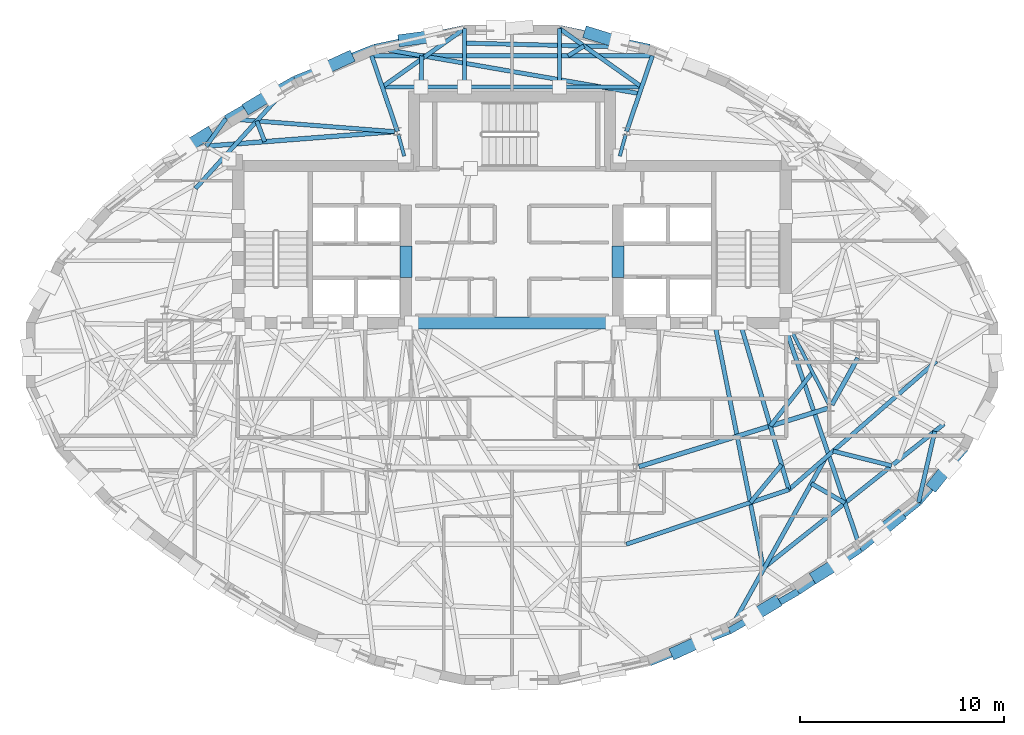
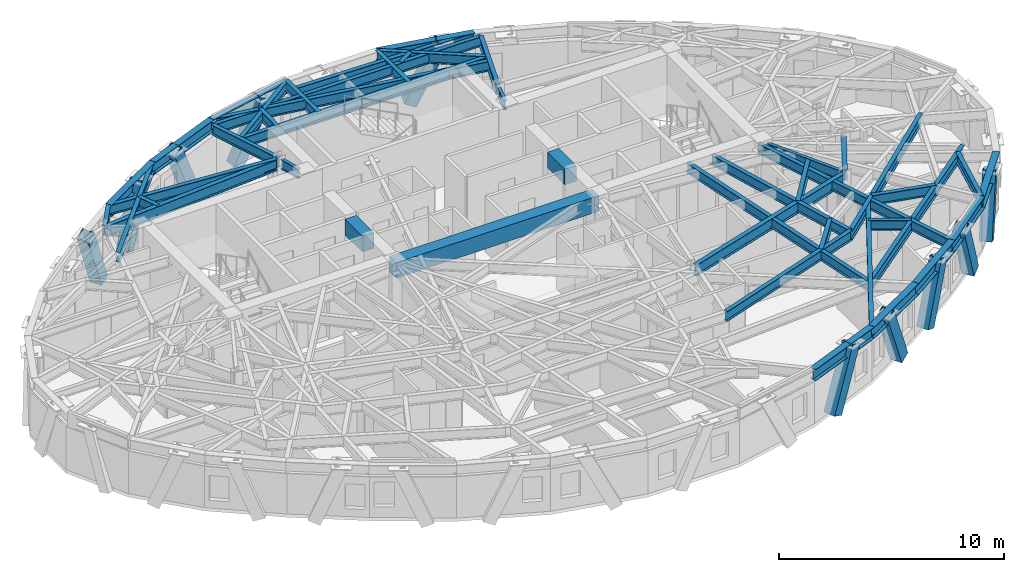
# One storey, part 3 of 13: 46 beams, 10 members.
"""IFC4 building model written with IfcOpenShell, lengths in metres."""

import ifcopenshell
import ifcopenshell.guid

model = None  # the IFC model being written
_history = None  # IfcOwnerHistory: only IFC2X3 demands one
_inside = {}  # id of a spatial element -> (the spatial element, [elements in it])
_under = {}  # id of a project, library or spatial element -> (it, [spatial elements below it])
_declared = {}  # id of a project -> (the project, [libraries it declares])
_typed = {}  # id of a type object -> (the type object, [elements of that type])
_made_of = {}  # id of a material, layer set ... -> (it, [elements and type objects made of it])


def new_model(schema):
    """Start an empty IFC model of exactly this schema.

    Asked for "IFC4X3", IfcOpenShell would pick the latest addendum, in which some entities
    have other attributes; the version numbers below select the first issue.
    IFC2X3 requires an IfcOwnerHistory on every rooted entity: one is made here for all.
    """
    global model, _history
    if schema == "IFC4X3":
        model = ifcopenshell.file(schema_version=(4, 3, 0, 0))
    else:
        model = ifcopenshell.file(schema=schema)
    _inside.clear()
    _under.clear()
    _declared.clear()
    _typed.clear()
    _made_of.clear()
    _history = None
    if model.schema == "IFC2X3":
        org = make("IfcOrganization", Name="unknown")
        user = make(
            "IfcPersonAndOrganization",
            ThePerson=make("IfcPerson", FamilyName="unknown"),
            TheOrganization=org,
        )
        app = make(
            "IfcApplication",
            ApplicationDeveloper=org,
            Version="unknown",
            ApplicationFullName="unknown",
            ApplicationIdentifier="unknown",
        )
        _history = make(
            "IfcOwnerHistory",
            OwningUser=user,
            OwningApplication=app,
            ChangeAction="ADDED",
            CreationDate=0,
        )
    return model


def make(cls, **values):
    """One entity of the class cls with the attributes given. An attribute that is None is left unset."""
    return model.create_entity(
        cls, **{name: value for name, value in values.items() if value is not None}
    )


def rooted(cls, **values):
    """An entity with a GlobalId (a new one), such as an element, a storey or a relation."""
    return make(cls, GlobalId=ifcopenshell.guid.new(), OwnerHistory=_history, **values)


def si_unit(unit_type, name, prefix=None):
    """IfcSIUnit, for example si_unit("LENGTHUNIT", "METRE", prefix="MILLI")."""
    return make("IfcSIUnit", UnitType=unit_type, Prefix=prefix, Name=name)


def assignment(units):
    """IfcUnitAssignment: the units of a project."""
    return None if units is None else make("IfcUnitAssignment", Units=units)


def point(xyz):
    """IfcCartesianPoint."""
    return None if xyz is None else make("IfcCartesianPoint", Coordinates=xyz)


def direction(xyz):
    """IfcDirection."""
    return None if xyz is None else make("IfcDirection", DirectionRatios=xyz)


def frame(location, z_axis=None, x_axis=None):
    """IfcAxis2Placement3D, a coordinate frame: its origin and axes. An axis left out is left unset."""
    return make(
        "IfcAxis2Placement3D",
        Location=point(location),
        Axis=direction(z_axis),
        RefDirection=direction(x_axis),
    )


def frame_2d(location, x_axis=None):
    """IfcAxis2Placement2D, a coordinate frame in the plane: its origin and x axis."""
    return make(
        "IfcAxis2Placement2D", Location=point(location), RefDirection=direction(x_axis)
    )


def origin():
    """The frame at (0, 0, 0) with its axes left unset."""
    return frame((0.0, 0.0, 0.0))


def origin_2d():
    """The frame at (0, 0) in the plane with its x axis left unset."""
    return frame_2d((0.0, 0.0))


def place(relative_to, where):
    """IfcLocalPlacement: puts the frame where relative to a parent placement (None: the world)."""
    return make(
        "IfcLocalPlacement", PlacementRelTo=relative_to, RelativePlacement=where
    )


def context(
    kind, dimensions, precision=None, world=None, true_north=None, identifier=None
):
    """IfcGeometricRepresentationContext, for example the 3D "Model" context."""
    return make(
        "IfcGeometricRepresentationContext",
        ContextIdentifier=identifier,
        ContextType=kind,
        CoordinateSpaceDimension=dimensions,
        Precision=precision,
        WorldCoordinateSystem=world,
        TrueNorth=true_north,
    )


def subcontext(parent, identifier, kind, view, scale=None):
    """IfcGeometricRepresentationSubContext, for example "Body" below "Model"."""
    return make(
        "IfcGeometricRepresentationSubContext",
        ContextIdentifier=identifier,
        ContextType=kind,
        ParentContext=parent,
        TargetScale=scale,
        TargetView=view,
    )


def project(units=None, contexts=None):
    """IfcProject with its units and contexts."""
    return rooted(
        "IfcProject",
        Name="project",
        RepresentationContexts=contexts,
        UnitsInContext=assignment(units),
    )


def spatial(cls, under=None, at=None, **own):
    """A site, building, storey or space (cls), placed at a placement, below another one or the project."""
    s = rooted(cls, ObjectPlacement=at, **own)
    if under is not None:
        _under.setdefault(under.id(), (under, []))[1].append(s)
    return s


def profile(cls, at=None, kind="AREA", **sizes):
    """A parametric profile (cls). Its sizes go by their IFC names, for example OverallWidth=200.0."""
    return make(cls, ProfileType=kind, Position=at, **sizes)


def rectangle(**sizes):
    """IfcRectangleProfileDef."""
    return profile("IfcRectangleProfileDef", **sizes)


def hollow_rectangle(**sizes):
    """IfcRectangleHollowProfileDef."""
    return profile("IfcRectangleHollowProfileDef", **sizes)


def i_section(**sizes):
    """IfcIShapeProfileDef."""
    return profile("IfcIShapeProfileDef", **sizes)


def extrude(swept, where, along, depth):
    """IfcExtrudedAreaSolid: the profile swept, set in the frame where, extruded along a direction by depth."""
    return make(
        "IfcExtrudedAreaSolid",
        SweptArea=swept,
        Position=where,
        ExtrudedDirection=direction(along),
        Depth=depth,
    )


def shape(context_of_items, identifier, shape_type, items):
    """IfcShapeRepresentation: the items that make up one representation, for example the "Body"."""
    return make(
        "IfcShapeRepresentation",
        ContextOfItems=context_of_items,
        RepresentationIdentifier=identifier,
        RepresentationType=shape_type,
        Items=items,
    )


def material(Name=None, Category=None):
    """IfcMaterial."""
    return make("IfcMaterial", Name=Name, Category=Category)


def material_profile(
    of_material, cross_section, Name=None, Category=None, Priority=None
):
    """IfcMaterialProfile: a cross section and its material."""
    return make(
        "IfcMaterialProfile",
        Name=Name,
        Material=of_material,
        Profile=cross_section,
        Priority=Priority,
        Category=Category,
    )


def profile_set(profiles, Name=None, composite=None):
    """IfcMaterialProfileSet."""
    return make(
        "IfcMaterialProfileSet",
        Name=Name,
        MaterialProfiles=profiles,
        CompositeProfile=composite,
    )


def made_of(thing, what):
    """Note that an element or type object is made of a material, layer set ...; save() writes the relation."""
    if what is not None:
        _made_of.setdefault(what.id(), (what, []))[1].append(thing)
    return thing


def type_object(cls, material=None, **own):
    """A type object (cls), such as IfcWallType, which elements share."""
    return made_of(rooted(cls, **own), material)


def element(
    cls,
    number,
    at=None,
    inside=None,
    cuts=None,
    type_object=None,
    material=None,
    context=None,
    identifier="Body",
    shape_type=None,
    held_by="IfcProductDefinitionShape",
    body=None,
    shapes=None,
    **own,
):
    """One element of the class cls, such as IfcWall. Its Tag is "e" and its number.

    at: its placement. inside: the storey or other place that contains it. cuts: it is an
    opening in that element (IfcRelVoidsElement). A single representation is given by context,
    identifier, shape_type and body (its items); several are given by shapes. held_by: the class
    of the entity that holds the representations. save() writes the other relations.
    """
    e = rooted(cls, Tag="e%d" % number, ObjectPlacement=at, **own)
    if body is not None:
        shapes = [shape(context, identifier, shape_type, body)]
    if shapes is not None:
        e.Representation = make(held_by, Representations=shapes)
    if inside is not None:
        _inside.setdefault(inside.id(), (inside, []))[1].append(e)
    if cuts is not None:
        rooted(
            "IfcRelVoidsElement", RelatingBuildingElement=cuts, RelatedOpeningElement=e
        )
    if type_object is not None:
        _typed.setdefault(type_object.id(), (type_object, []))[1].append(e)
    return made_of(e, material)


def aggregate(whole, parts):
    """IfcRelAggregates: a whole, such as a stair, and the parts it consists of."""
    return rooted("IfcRelAggregates", RelatingObject=whole, RelatedObjects=parts)


def save(model, path):
    """Write the relations noted so far, then the file.

    IfcRelAggregates (storeys below a building ...), IfcRelContainedInSpatialStructure (elements
    in a storey), IfcRelDefinesByType, IfcRelAssociatesMaterial and IfcRelDeclares: one each for
    every whole, place, type object, material and project.
    """
    for whole, parts in _under.values():
        aggregate(whole, parts)
    for where, things in _inside.values():
        rooted(
            "IfcRelContainedInSpatialStructure",
            RelatedElements=things,
            RelatingStructure=where,
        )
    for kind, things in _typed.values():
        rooted("IfcRelDefinesByType", RelatedObjects=things, RelatingType=kind)
    for what, things in _made_of.values():
        rooted("IfcRelAssociatesMaterial", RelatedObjects=things, RelatingMaterial=what)
    for by, libraries in _declared.values():
        rooted("IfcRelDeclares", RelatingContext=by, RelatedDefinitions=libraries)
    model.write(path)


model = new_model("IFC4")

# Units and contexts
model_context = context("Model", 3, precision=1e-05, world=origin(), true_north=direction((0.0, 1.0)))
body_context = subcontext(model_context, "Body", "Model", "MODEL_VIEW")
ifc_project = project(units=[si_unit("LENGTHUNIT", "METRE"), si_unit("AREAUNIT", "SQUARE_METRE"), si_unit("VOLUMEUNIT", "CUBIC_METRE"), si_unit("PLANEANGLEUNIT", "RADIAN"), si_unit("MASSUNIT", "GRAM", prefix="KILO")], contexts=[model_context])

# Site, building, storey
site_placement = place(None, origin())
site = spatial("IfcSite", under=ifc_project, at=site_placement, CompositionType="ELEMENT")
building_placement = place(site_placement, origin())
building = spatial("IfcBuilding", under=site, at=building_placement, Name="Keldmark Tower", CompositionType="ELEMENT")
storey_placement = place(building_placement, frame((0.0, 0.0, 210.0)))
storey = spatial("IfcBuildingStorey", under=building, at=storey_placement, Name="L58", CompositionType="ELEMENT", Elevation=210.0)

# Beams
ifc_material_1 = material(Name="Concrete C50/60", Category="concrete")
ifc_material_profile_1 = material_profile(ifc_material_1, rectangle(XDim=0.60009765625, YDim=0.85009765625, at=origin_2d()), Name="RCB600X850")
ifc_profile_set_1 = profile_set([ifc_material_profile_1], Name="Concrete C50/60")
beam_type_1 = type_object("IfcBeamType", Name="Core Coupling Beam RCB600X850", PredefinedType="USERDEFINED", material=ifc_profile_set_1)
for number, where, z_axis, x_axis, name in (
    (1, (-5.199951171875, 3.800048828125, 2.544921875), (0.0, 1.0, 0.0), (-1.0, 0.0, 0.0), "L58 West Core Coupling Beam"),
    (2, (5.199951171875, 3.800048828125, 2.544921875), (0.0, 1.0, 0.0), (-1.0, 0.0, 0.0), "L58 East Core Coupling Beam"),
):
    element("IfcBeam", number, at=place(storey_placement, frame(where, z_axis=z_axis, x_axis=x_axis)), inside=storey, type_object=beam_type_1, Name=name, ObjectType="COUPLING BEAM", PredefinedType="USERDEFINED", context=body_context, shape_type="SweptSolid", body=[
        extrude(rectangle(XDim=0.60009765625, YDim=0.85009765625, at=origin_2d()), origin(), (0.0, 0.0, 1.0), 1.550048828125),
    ])
beam_1_placement = place(storey_placement, frame((-5.199951171875, 1.574951171875, 2.544921875), z_axis=(1.0, 0.0, 0.0), x_axis=(0.0, 1.0, 0.0)))
element("IfcBeam", 3, at=beam_1_placement, inside=storey, type_object=beam_type_1, Name="L58 Central South Core Coupling Beam", ObjectType="COUPLING BEAM", PredefinedType="USERDEFINED", context=body_context, shape_type="SweptSolid", body=[
    extrude(rectangle(XDim=0.60009765625, YDim=0.85009765625, at=origin_2d()), origin(), (0.0, 0.0, 1.0), 10.39990234375),
])

# Members
ifc_material_2 = material(Name="Steel ASTM A572 Grade 50", Category="steel")
ifc_material_profile_2 = material_profile(ifc_material_2, hollow_rectangle(XDim=0.60009765625, YDim=0.60009765625, WallThickness=0.034912109375, at=origin_2d()), Name="BOX600X600X35")
ifc_profile_set_2 = profile_set([ifc_material_profile_2], Name="Steel ASTM A572 Grade 50")
member_type = type_object("IfcMemberType", Name="Diagrid Zone 4 Brace BOX600X600X35", PredefinedType="BRACE", material=ifc_profile_set_2)
member_1_placement = place(storey_placement, frame((3.808837890625, 15.77587890625, -0.260009765625), z_axis=(0.417902527142, -0.12807487485, 0.899418870294), x_axis=(0.293018682572, 0.956106715625, 0.0)))
element("IfcMember", 4, at=member_1_placement, inside=storey, type_object=member_type, Name="L58 Perimeter Diagrid Brace 04A", PredefinedType="BRACE", context=body_context, shape_type="SweptSolid", body=[
    extrude(hollow_rectangle(XDim=0.60009765625, YDim=0.60009765625, WallThickness=0.034912109375, at=origin_2d()), origin(), (0.0, 0.0, 1.0), 3.4580078125),
])
member_2_placement = place(storey_placement, frame((-5.29931640625, 15.441162109375, -0.260009765625), z_axis=(0.435283673901, 0.057971999343, 0.898424938727), x_axis=(-0.132016439909, 0.991247526904, 0.0)))
element("IfcMember", 5, at=member_2_placement, inside=storey, type_object=member_type, Name="L58 Perimeter Diagrid Brace 05A", PredefinedType="BRACE", context=body_context, shape_type="SweptSolid", body=[
    extrude(hollow_rectangle(XDim=0.60009765625, YDim=0.60009765625, WallThickness=0.034912109375, at=origin_2d()), origin(), (0.0, 0.0, 1.0), 3.461669921875),
])
member_3_placement = place(storey_placement, frame((-8.06103515625, 14.56689453125, -0.260009765625), z_axis=(-0.373527190855, -0.170910697789, 0.911738433474), x_axis=(0.416072675924, -0.909331363337, 0.0)))
element("IfcMember", 6, at=member_3_placement, inside=storey, type_object=member_type, Name="L58 Perimeter Diagrid Brace 05B", PredefinedType="BRACE", context=body_context, shape_type="SweptSolid", body=[
    extrude(hollow_rectangle(XDim=0.60009765625, YDim=0.60009765625, WallThickness=0.034912109375, at=origin_2d()), origin(), (0.0, 0.0, 1.0), 3.4111328125),
])
member_4_placement = place(storey_placement, frame((-12.853515625, 12.166748046875, -0.260009765625), z_axis=(0.327043065157, 0.196356453143, 0.924384647667), x_axis=(-0.514747500974, 0.857341828118, 0.0)))
element("IfcMember", 7, at=member_4_placement, inside=storey, type_object=member_type, Name="L58 Perimeter Diagrid Brace 06A", PredefinedType="BRACE", context=body_context, shape_type="SweptSolid", body=[
    extrude(hollow_rectangle(XDim=0.60009765625, YDim=0.60009765625, WallThickness=0.034912109375, at=origin_2d()), origin(), (0.0, 0.0, 1.0), 3.364501953125),
])
member_5_placement = place(storey_placement, frame((-14.969482421875, 10.82373046875, -0.260009765625), z_axis=(-0.318117515062, -0.19705814949, 0.927345314503), x_axis=(0.52660238339, -0.850111716075, 0.0)))
element("IfcMember", 8, at=member_5_placement, inside=storey, type_object=member_type, Name="L58 Perimeter Diagrid Brace 06B", PredefinedType="BRACE", context=body_context, shape_type="SweptSolid", body=[
    extrude(hollow_rectangle(XDim=0.60009765625, YDim=0.60009765625, WallThickness=0.034912109375, at=origin_2d()), origin(), (0.0, 0.0, 1.0), 3.353759765625),
])
member_6_placement = place(storey_placement, frame((8.06103515625, -14.56689453125, -0.260009765625), z_axis=(0.373527190855, 0.170910697789, 0.911738433474), x_axis=(-0.416072675924, 0.909331363337, 0.0)))
element("IfcMember", 9, at=member_6_placement, inside=storey, type_object=member_type, Name="L58 Perimeter Diagrid Brace 13B", PredefinedType="BRACE", context=body_context, shape_type="SweptSolid", body=[
    extrude(hollow_rectangle(XDim=0.60009765625, YDim=0.60009765625, WallThickness=0.034912109375, at=origin_2d()), origin(), (0.0, 0.0, 1.0), 3.4111328125),
])
member_7_placement = place(storey_placement, frame((12.853515625, -12.166748046875, -0.260009765625), z_axis=(-0.327043065157, -0.196356453143, 0.924384647667), x_axis=(0.514747500974, -0.857341828118, 0.0)))
element("IfcMember", 10, at=member_7_placement, inside=storey, type_object=member_type, Name="L58 Perimeter Diagrid Brace 14A", PredefinedType="BRACE", context=body_context, shape_type="SweptSolid", body=[
    extrude(hollow_rectangle(XDim=0.60009765625, YDim=0.60009765625, WallThickness=0.034912109375, at=origin_2d()), origin(), (0.0, 0.0, 1.0), 3.364501953125),
])
member_8_placement = place(storey_placement, frame((14.969482421875, -10.82373046875, -0.260009765625), z_axis=(0.318117515062, 0.19705814949, 0.927345314503), x_axis=(-0.52660238339, 0.850111716075, 0.0)))
element("IfcMember", 11, at=member_8_placement, inside=storey, type_object=member_type, Name="L58 Perimeter Diagrid Brace 14B", PredefinedType="BRACE", context=body_context, shape_type="SweptSolid", body=[
    extrude(hollow_rectangle(XDim=0.60009765625, YDim=0.60009765625, WallThickness=0.034912109375, at=origin_2d()), origin(), (0.0, 0.0, 1.0), 3.353759765625),
])
member_9_placement = place(storey_placement, frame((18.940673828125, -7.9482421875, -0.260009765625), z_axis=(-0.282566906812, -0.229708983494, 0.931337600485), x_axis=(0.630796672763, -0.775948166846, 0.0)))
element("IfcMember", 12, at=member_9_placement, inside=storey, type_object=member_type, Name="L58 Perimeter Diagrid Brace 15A", PredefinedType="BRACE", context=body_context, shape_type="SweptSolid", body=[
    extrude(hollow_rectangle(XDim=0.60009765625, YDim=0.60009765625, WallThickness=0.034912109375, at=origin_2d()), origin(), (0.0, 0.0, 1.0), 3.33935546875),
])
member_10_placement = place(storey_placement, frame((20.70703125, -6.3291015625, -0.260009765625), z_axis=(0.213580141324, 0.271192997659, 0.938529637919), x_axis=(-0.785614269888, 0.618716590167, 0.0)))
element("IfcMember", 13, at=member_10_placement, inside=storey, type_object=member_type, Name="L58 Perimeter Diagrid Brace 15B", PredefinedType="BRACE", context=body_context, shape_type="SweptSolid", body=[
    extrude(hollow_rectangle(XDim=0.60009765625, YDim=0.60009765625, WallThickness=0.034912109375, at=origin_2d()), origin(), (0.0, 0.0, 1.0), 3.313720703125),
])

# Beams
ifc_material_3 = material(Name="Steel ASTM A992 Grade 50", Category="steel")
ifc_material_profile_3 = material_profile(ifc_material_3, i_section(OverallWidth=0.22802734375, OverallDepth=0.60302734375, WebThickness=0.010498046875, FlangeThickness=0.014892578125, at=origin_2d()), Name="W24X68")
ifc_profile_set_3 = profile_set([ifc_material_profile_3], Name="Steel ASTM A992 Grade 50")
beam_type_2 = type_object("IfcBeamType", Name="Primary Floor Girder W24X68", PredefinedType="BEAM", material=ifc_profile_set_3)
beam_2_placement = place(storey_placement, frame((-5.75830078125, 10.956298828125, 2.66845703125), z_axis=(-0.997037147832, -0.076921556421, 0.0), x_axis=(0.076921556421, -0.997037147832, 0.0)))
element("IfcBeam", 14, at=beam_2_placement, inside=storey, type_object=beam_type_2, Name="L58 Floor Ring Girder FG-R04", PredefinedType="BEAM", context=body_context, shape_type="SweptSolid", body=[
    extrude(i_section(OverallWidth=0.22802734375, OverallDepth=0.60302734375, WebThickness=0.010498046875, FlangeThickness=0.014892578125, at=origin_2d()), origin(), (0.0, 0.0, 1.0), 9.125),
])
beam_3_placement = place(storey_placement, frame((6.223388671875, -5.471435546875, 2.66845703125), z_axis=(0.955383255089, 0.295368982622, 0.0), x_axis=(-0.295368982622, 0.955383255089, 0.0)))
element("IfcBeam", 15, at=beam_3_placement, inside=storey, type_object=beam_type_2, Name="L58 Floor Ring Girder FG-R10", PredefinedType="BEAM", context=body_context, shape_type="SweptSolid", body=[
    extrude(i_section(OverallWidth=0.22802734375, OverallDepth=0.60302734375, WebThickness=0.010498046875, FlangeThickness=0.014892578125, at=origin_2d()), origin(), (0.0, 0.0, 1.0), 9.69140625),
])
beam_4_placement = place(storey_placement, frame((15.68408203125, -2.44482421875, 2.66845703125), z_axis=(0.484719680408, 0.874669555561, 0.0), x_axis=(-0.874669555561, 0.484719680408, 0.0)))
element("IfcBeam", 16, at=beam_4_placement, inside=storey, type_object=beam_type_2, Name="L58 Floor Ring Girder FG-R11", PredefinedType="BEAM", context=body_context, shape_type="SweptSolid", body=[
    extrude(i_section(OverallWidth=0.22802734375, OverallDepth=0.60302734375, WebThickness=0.010498046875, FlangeThickness=0.014892578125, at=origin_2d()), origin(), (0.0, 0.0, 1.0), 2.627685546875),
])
ifc_material_4 = material(Name="Steel ASTM A992 Grade 50", Category="steel")
ifc_material_profile_4 = material_profile(ifc_material_4, i_section(OverallWidth=0.166015625, OverallDepth=0.529052734375, WebThickness=0.009765625, FlangeThickness=0.013671875, at=origin_2d()), Name="W21X50")
ifc_profile_set_4 = profile_set([ifc_material_profile_4], Name="Steel ASTM A992 Grade 50")
beam_type_3 = type_object("IfcBeamType", Name="Radial Tie Girder W21X50", PredefinedType="BEAM", material=ifc_profile_set_4)
for number, where, z_axis, x_axis, name in (
    (17, (5.581298828125, 10.83203125, 2.70556640625), (-0.265936023434, -0.963990680163, 0.0), (0.963990680163, -0.265936023434, 0.0), "L58 Floor Radial Girder FG-C03"),
    (18, (-5.581298828125, 10.83203125, 2.70556640625), (0.265936023434, -0.963990680163, 0.0), (0.963990680163, 0.265936023434, 0.0), "L58 Floor Radial Girder FG-C04"),
):
    element("IfcBeam", number, at=place(storey_placement, frame(where, z_axis=z_axis, x_axis=x_axis)), inside=storey, type_object=beam_type_3, Name=name, PredefinedType="BEAM", context=body_context, shape_type="SweptSolid", body=[
        extrude(i_section(OverallWidth=0.166015625, OverallDepth=0.529052734375, WebThickness=0.009765625, FlangeThickness=0.013671875, at=origin_2d()), origin(), (0.0, 0.0, 1.0), 1.113525390625),
    ])
beam_5_placement = place(storey_placement, frame((15.552734375, -2.442626953125, 2.70556640625), z_axis=(-0.453004410574, 0.89150827478, 0.0), x_axis=(-0.89150827478, -0.453004410574, 0.0)))
element("IfcBeam", 19, at=beam_5_placement, inside=storey, type_object=beam_type_3, Name="L58 Floor Radial Girder FG-C11", PredefinedType="BEAM", context=body_context, shape_type="SweptSolid", body=[
    extrude(i_section(OverallWidth=0.166015625, OverallDepth=0.529052734375, WebThickness=0.009765625, FlangeThickness=0.013671875, at=origin_2d()), origin(), (0.0, 0.0, 1.0), 3.990234375),
])
ifc_material_5 = material(Name="Steel ASTM A992 Grade 50", Category="steel")
ifc_material_profile_5 = material_profile(ifc_material_5, i_section(OverallWidth=0.2099609375, OverallDepth=0.537109375, WebThickness=0.010986328125, FlangeThickness=0.017333984375, at=origin_2d()), Name="W21X68")
ifc_profile_set_5 = profile_set([ifc_material_profile_5], Name="Steel ASTM A992 Grade 50")
beam_type_4 = type_object("IfcBeamType", Name="Radial Tie Girder W21X68", PredefinedType="BEAM", material=ifc_profile_set_5)
beam_6_placement = place(storey_placement, frame((14.7392578125, -0.841796875, 2.701416015625), z_axis=(-0.617673635269, -0.78643453656, 0.0), x_axis=(0.78643453656, -0.617673635269, 0.0)))
element("IfcBeam", 20, at=beam_6_placement, inside=storey, type_object=beam_type_4, Name="L58 Framing Pin Header PH-005", PredefinedType="BEAM", context=body_context, shape_type="SweptSolid", body=[
    extrude(i_section(OverallWidth=0.2099609375, OverallDepth=0.537109375, WebThickness=0.010986328125, FlangeThickness=0.017333984375, at=origin_2d()), origin(), (0.0, 0.0, 1.0), 3.353271484375),
])
beam_7_placement = place(storey_placement, frame((11.19287109375, 1.574951171875, 2.701416015625), z_axis=(0.280177253501, -0.959948283305, 0.0), x_axis=(0.959948283305, 0.280177253501, 0.0)))
element("IfcBeam", 21, at=beam_7_placement, inside=storey, type_object=beam_type_4, Name="L58 Sub-Ring Step Girder STP1-M11", PredefinedType="BEAM", context=body_context, shape_type="SweptSolid", body=[
    extrude(i_section(OverallWidth=0.2099609375, OverallDepth=0.537109375, WebThickness=0.010986328125, FlangeThickness=0.017333984375, at=origin_2d()), origin(), (0.0, 0.0, 1.0), 8.51513671875),
])
beam_8_placement = place(storey_placement, frame((5.610107421875, -9.27734375, 2.701416015625), z_axis=(0.947893328754, 0.318587880034, 0.0), x_axis=(-0.318587880034, 0.947893328754, 0.0)))
element("IfcBeam", 22, at=beam_8_placement, inside=storey, type_object=beam_type_4, Name="L58 Perimeter Collector Ring Beam CRG1-M10", PredefinedType="BEAM", context=body_context, shape_type="SweptSolid", body=[
    extrude(i_section(OverallWidth=0.2099609375, OverallDepth=0.537109375, WebThickness=0.010986328125, FlangeThickness=0.017333984375, at=origin_2d()), origin(), (0.0, 0.0, 1.0), 8.406494140625),
])
beam_9_placement = place(storey_placement, frame((13.57861328125, -6.59912109375, 2.701416015625), z_axis=(0.75437311483, 0.656445887809, 0.0), x_axis=(-0.656445887809, 0.75437311483, 0.0)))
element("IfcBeam", 23, at=beam_9_placement, inside=storey, type_object=beam_type_4, Name="L58 Perimeter Collector Ring Beam CRG1-M11", PredefinedType="BEAM", context=body_context, shape_type="SweptSolid", body=[
    extrude(i_section(OverallWidth=0.2099609375, OverallDepth=0.537109375, WebThickness=0.010986328125, FlangeThickness=0.017333984375, at=origin_2d()), origin(), (0.0, 0.0, 1.0), 9.5908203125),
])
beam_10_placement = place(storey_placement, frame((13.220703125, -5.373046875, 2.701416015625), z_axis=(-0.635813675914, -0.77184258079, 0.0), x_axis=(0.77184258079, -0.635813675914, 0.0)))
element("IfcBeam", 24, at=beam_10_placement, inside=storey, type_object=beam_type_4, Name="L58 Framing Pin Header PH-010", PredefinedType="BEAM", context=body_context, shape_type="SweptSolid", body=[
    extrude(i_section(OverallWidth=0.2099609375, OverallDepth=0.537109375, WebThickness=0.010986328125, FlangeThickness=0.017333984375, at=origin_2d()), origin(), (0.0, 0.0, 1.0), 2.412109375),
])
beam_11_placement = place(storey_placement, frame((9.939208984375, 1.574951171875, 2.701416015625), z_axis=(0.19459922067, -0.98088283873, 0.0), x_axis=(0.98088283873, 0.19459922067, 0.0)))
element("IfcBeam", 25, at=beam_11_placement, inside=storey, type_object=beam_type_4, Name="L58 Sub-Ring Step Girder STP2-M11", PredefinedType="BEAM", context=body_context, shape_type="SweptSolid", body=[
    extrude(i_section(OverallWidth=0.2099609375, OverallDepth=0.537109375, WebThickness=0.010986328125, FlangeThickness=0.017333984375, at=origin_2d()), origin(), (0.0, 0.0, 1.0), 12.258544921875),
])
beam_12_placement = place(storey_placement, frame((12.32470703125, -10.44921875, 2.701416015625), z_axis=(0.781601380292, 0.623778231686, 0.0), x_axis=(-0.623778231686, 0.781601380292, 0.0)))
element("IfcBeam", 26, at=beam_12_placement, inside=storey, type_object=beam_type_4, Name="L58 Perimeter Collector Ring Beam CRG2-M11", PredefinedType="BEAM", context=body_context, shape_type="SweptSolid", body=[
    extrude(i_section(OverallWidth=0.2099609375, OverallDepth=0.537109375, WebThickness=0.010986328125, FlangeThickness=0.017333984375, at=origin_2d()), origin(), (0.0, 0.0, 1.0), 11.3388671875),
])
beam_13_placement = place(storey_placement, frame((-14.995849609375, 10.24365234375, 2.701416015625), z_axis=(0.58104351732, 0.813872490615, 0.0), x_axis=(-0.813872490615, 0.58104351732, 0.0)))
element("IfcBeam", 27, at=beam_13_placement, inside=storey, type_object=beam_type_4, Name="L58 Perimeter Column Bracket RT-12", PredefinedType="BEAM", context=body_context, shape_type="SweptSolid", body=[
    extrude(i_section(OverallWidth=0.2099609375, OverallDepth=0.537109375, WebThickness=0.010986328125, FlangeThickness=0.017333984375, at=origin_2d()), origin(), (0.0, 0.0, 1.0), 1.660888671875),
])
beam_14_placement = place(storey_placement, frame((15.38720703125, -5.025146484375, 2.701416015625), z_axis=(-0.486388767534, -0.873742506014, 0.0), x_axis=(0.873742506014, -0.486388767534, 0.0)))
element("IfcBeam", 28, at=beam_14_placement, inside=storey, type_object=beam_type_4, Name="L58 Perimeter Radial Tie Girder RT-27", PredefinedType="BEAM", context=body_context, shape_type="SweptSolid", body=[
    extrude(i_section(OverallWidth=0.2099609375, OverallDepth=0.537109375, WebThickness=0.010986328125, FlangeThickness=0.017333984375, at=origin_2d()), origin(), (0.0, 0.0, 1.0), 9.72509765625),
])
beam_15_placement = place(storey_placement, frame((14.677734375, -6.2998046875, 2.701416015625), z_axis=(0.865805906208, -0.500379988385, 0.0), x_axis=(0.500379988385, 0.865805906208, 0.0)))
element("IfcBeam", 29, at=beam_15_placement, inside=storey, type_object=beam_type_4, Name="L58 Framing Pin Header PH-028", PredefinedType="BEAM", context=body_context, shape_type="SweptSolid", body=[
    extrude(i_section(OverallWidth=0.2099609375, OverallDepth=0.537109375, WebThickness=0.010986328125, FlangeThickness=0.017333984375, at=origin_2d()), origin(), (0.0, 0.0, 1.0), 1.90673828125),
])
beam_16_placement = place(storey_placement, frame((13.425048828125, 1.300048828125, 2.701416015625), z_axis=(0.32142332721, -0.946935607486, 0.0), x_axis=(0.946935607486, 0.32142332721, 0.0)))
element("IfcBeam", 30, at=beam_16_placement, inside=storey, type_object=beam_type_4, Name="L58 Perimeter Radial Tie Girder RT-29", PredefinedType="BEAM", context=body_context, shape_type="SweptSolid", body=[
    extrude(i_section(OverallWidth=0.2099609375, OverallDepth=0.537109375, WebThickness=0.010986328125, FlangeThickness=0.017333984375, at=origin_2d()), origin(), (0.0, 0.0, 1.0), 11.42236328125),
])
beam_17_placement = place(storey_placement, frame((15.7490234375, -4.71044921875, 2.701416015625), z_axis=(0.970035495651, -0.242963242438, 0.0), x_axis=(0.242963242438, 0.970035495651, 0.0)))
element("IfcBeam", 31, at=beam_17_placement, inside=storey, type_object=beam_type_4, Name="L58 Framing Pin Header PH-029", PredefinedType="BEAM", context=body_context, shape_type="SweptSolid", body=[
    extrude(i_section(OverallWidth=0.2099609375, OverallDepth=0.537109375, WebThickness=0.010986328125, FlangeThickness=0.017333984375, at=origin_2d()), origin(), (0.0, 0.0, 1.0), 2.955322265625),
])
beam_18_placement = place(storey_placement, frame((19.9375, -7.227783203125, 2.701416015625), z_axis=(0.222272730925, 0.974984529666, 0.0), x_axis=(-0.974984529666, 0.222272730925, 0.0)))
element("IfcBeam", 32, at=beam_18_placement, inside=storey, type_object=beam_type_4, Name="L58 Framing Pin Header PH-030", PredefinedType="BEAM", context=body_context, shape_type="SweptSolid", body=[
    extrude(i_section(OverallWidth=0.2099609375, OverallDepth=0.537109375, WebThickness=0.010986328125, FlangeThickness=0.017333984375, at=origin_2d()), origin(), (0.0, 0.0, 1.0), 3.57861328125),
])
for number, where, z_axis, x_axis, name in (
    (33, (-5.61865234375, 10.967041015625, 2.701416015625), (-0.322852717486, 0.946449218295, 0.0), (-0.946449218295, -0.322852717486, 0.0), "L58 North Column Cantilever Girder West FG-TCN-W"),
    (34, (5.61865234375, 10.967041015625, 2.701416015625), (0.322852717486, 0.946449218295, 0.0), (-0.946449218295, 0.322852717486, 0.0), "L58 North Column Cantilever Girder East FG-TCN-E"),
):
    element("IfcBeam", number, at=place(storey_placement, frame(where, z_axis=z_axis, x_axis=x_axis)), inside=storey, type_object=beam_type_4, Name=name, PredefinedType="BEAM", context=body_context, shape_type="SweptSolid", body=[
        extrude(i_section(OverallWidth=0.2099609375, OverallDepth=0.537109375, WebThickness=0.010986328125, FlangeThickness=0.017333984375, at=origin_2d()), origin(), (0.0, 0.0, 1.0), 3.920166015625),
    ])
beam_19_placement = place(storey_placement, frame((-6.88427734375, 14.67724609375, 2.701416015625), z_axis=(1.0, 0.0, 0.0), x_axis=(0.0, 1.0, 0.0)))
element("IfcBeam", 35, at=beam_19_placement, inside=storey, type_object=beam_type_4, Name="L58 North Outer Header Girder FG-TCN-H1", PredefinedType="BEAM", context=body_context, shape_type="SweptSolid", body=[
    extrude(i_section(OverallWidth=0.2099609375, OverallDepth=0.537109375, WebThickness=0.010986328125, FlangeThickness=0.017333984375, at=origin_2d()), origin(), (0.0, 0.0, 1.0), 13.7685546875),
])
beam_20_placement = place(storey_placement, frame((-6.36328125, 13.14990234375, 2.701416015625), z_axis=(1.0, 0.0, 0.0), x_axis=(0.0, 1.0, 0.0)))
element("IfcBeam", 36, at=beam_20_placement, inside=storey, type_object=beam_type_4, Name="L58 North Inner Header Girder FG-TCN-H0", PredefinedType="BEAM", context=body_context, shape_type="SweptSolid", body=[
    extrude(i_section(OverallWidth=0.2099609375, OverallDepth=0.537109375, WebThickness=0.010986328125, FlangeThickness=0.017333984375, at=origin_2d()), origin(), (0.0, 0.0, 1.0), 12.7265625),
])
for number, where, z_axis, x_axis, name in (
    (37, (2.3251953125, 13.14990234375, 2.701416015625), (0.0, 1.0, 0.0), (-1.0, 0.0, 0.0), "L58 North Continuous Radial Girder RT-08N"),
    (38, (-2.3251953125, 13.14990234375, 2.701416015625), (0.0, 1.0, 0.0), (-1.0, 0.0, 0.0), "L58 North Continuous Radial Girder RT-09N"),
):
    element("IfcBeam", number, at=place(storey_placement, frame(where, z_axis=z_axis, x_axis=x_axis)), inside=storey, type_object=beam_type_4, Name=name, PredefinedType="BEAM", context=body_context, shape_type="SweptSolid", body=[
        extrude(i_section(OverallWidth=0.2099609375, OverallDepth=0.537109375, WebThickness=0.010986328125, FlangeThickness=0.017333984375, at=origin_2d()), origin(), (0.0, 0.0, 1.0), 2.86279296875),
    ])
beam_21_placement = place(storey_placement, frame((6.36328125, 13.14990234375, 2.701416015625), z_axis=(-0.815787894681, 0.578351200304, 0.0), x_axis=(-0.578351200304, -0.815787894681, 0.0)))
element("IfcBeam", 39, at=beam_21_placement, inside=storey, type_object=beam_type_4, Name="L58 Straddling Support Chord RT-07RB", PredefinedType="BEAM", context=body_context, shape_type="SweptSolid", body=[
    extrude(i_section(OverallWidth=0.2099609375, OverallDepth=0.537109375, WebThickness=0.010986328125, FlangeThickness=0.017333984375, at=origin_2d()), origin(), (0.0, 0.0, 1.0), 4.949951171875),
])
beam_22_placement = place(storey_placement, frame((2.753662109375, 14.67724609375, 2.701416015625), z_axis=(0.852079385705, 0.523412571933, 0.0), x_axis=(-0.523412571933, 0.852079385705, 0.0)))
element("IfcBeam", 40, at=beam_22_placement, inside=storey, type_object=beam_type_4, Name="L58 Framing Pin Header PH-032", PredefinedType="BEAM", context=body_context, shape_type="SweptSolid", body=[
    extrude(i_section(OverallWidth=0.2099609375, OverallDepth=0.537109375, WebThickness=0.010986328125, FlangeThickness=0.017333984375, at=origin_2d()), origin(), (0.0, 0.0, 1.0), 0.9150390625),
])
beam_23_placement = place(storey_placement, frame((-2.3251953125, 15.297119140625, 2.701416015625), z_axis=(0.999711188905, -0.024032036494, 0.0), x_axis=(0.024032036494, 0.999711188905, 0.0)))
element("IfcBeam", 41, at=beam_23_placement, inside=storey, type_object=beam_type_4, Name="L58 Perimeter Radial Tie Girder RT-07R", PredefinedType="BEAM", context=body_context, shape_type="SweptSolid", body=[
    extrude(i_section(OverallWidth=0.2099609375, OverallDepth=0.537109375, WebThickness=0.010986328125, FlangeThickness=0.017333984375, at=origin_2d()), origin(), (0.0, 0.0, 1.0), 9.072021484375),
])
beam_24_placement = place(storey_placement, frame((-2.3251953125, 16.0126953125, 2.701416015625), z_axis=(-0.815787894681, -0.578351200304, 0.0), x_axis=(0.578351200304, -0.815787894681, 0.0)))
element("IfcBeam", 42, at=beam_24_placement, inside=storey, type_object=beam_type_4, Name="L58 Straddling Support Chord RT-10RB", PredefinedType="BEAM", context=body_context, shape_type="SweptSolid", body=[
    extrude(i_section(OverallWidth=0.2099609375, OverallDepth=0.537109375, WebThickness=0.010986328125, FlangeThickness=0.017333984375, at=origin_2d()), origin(), (0.0, 0.0, 1.0), 4.949951171875),
])
beam_25_placement = place(storey_placement, frame((-4.4541015625, 13.14990234375, 2.701416015625), z_axis=(0.015822827096, 0.999874811235, 0.0), x_axis=(-0.999874811235, 0.015822827096, 0.0)))
element("IfcBeam", 43, at=beam_25_placement, inside=storey, type_object=beam_type_4, Name="L58 Framing Pin Header PH-033", PredefinedType="BEAM", context=body_context, shape_type="SweptSolid", body=[
    extrude(i_section(OverallWidth=0.2099609375, OverallDepth=0.537109375, WebThickness=0.010986328125, FlangeThickness=0.017333984375, at=origin_2d()), origin(), (0.0, 0.0, 1.0), 1.527587890625),
])
beam_26_placement = place(storey_placement, frame((6.25146484375, 12.822265625, 2.701416015625), z_axis=(-0.9852535668, 0.171100581843, 0.0), x_axis=(-0.171100581843, -0.9852535668, 0.0)))
element("IfcBeam", 44, at=beam_26_placement, inside=storey, type_object=beam_type_4, Name="L58 Perimeter Radial Tie Girder RT-10R", PredefinedType="BEAM", context=body_context, shape_type="SweptSolid", body=[
    extrude(i_section(OverallWidth=0.2099609375, OverallDepth=0.537109375, WebThickness=0.010986328125, FlangeThickness=0.017333984375, at=origin_2d()), origin(), (0.0, 0.0, 1.0), 13.190185546875),
])
beam_27_placement = place(storey_placement, frame((-5.75830078125, 10.956298828125, 2.701416015625), z_axis=(-0.997028465353, 0.077034013761, 0.0), x_axis=(-0.077034013761, -0.997028465353, 0.0)))
element("IfcBeam", 45, at=beam_27_placement, inside=storey, type_object=beam_type_4, Name="L58 Straddling Support Chord RT-11RB", PredefinedType="BEAM", context=body_context, shape_type="SweptSolid", body=[
    extrude(i_section(OverallWidth=0.2099609375, OverallDepth=0.537109375, WebThickness=0.010986328125, FlangeThickness=0.017333984375, at=origin_2d()), origin(), (0.0, 0.0, 1.0), 8.297119140625),
])
beam_28_placement = place(storey_placement, frame((-12.126708984375, 10.465087890625, 2.701416015625), z_axis=(-0.356397873042, 0.934334284981, 0.0), x_axis=(-0.934334284981, -0.356397873042, 0.0)))
element("IfcBeam", 46, at=beam_28_placement, inside=storey, type_object=beam_type_4, Name="L58 Framing Pin Header PH-034", PredefinedType="BEAM", context=body_context, shape_type="SweptSolid", body=[
    extrude(i_section(OverallWidth=0.2099609375, OverallDepth=0.537109375, WebThickness=0.010986328125, FlangeThickness=0.017333984375, at=origin_2d()), origin(), (0.0, 0.0, 1.0), 1.08447265625),
])
beam_29_placement = place(storey_placement, frame((-15.5205078125, 8.1669921875, 2.701416015625), z_axis=(0.672288040341, 0.74028966683, 0.0), x_axis=(-0.74028966683, 0.672288040341, 0.0)))
element("IfcBeam", 47, at=beam_29_placement, inside=storey, type_object=beam_type_4, Name="L58 Perimeter Radial Tie Girder RT-11R", PredefinedType="BEAM", context=body_context, shape_type="SweptSolid", body=[
    extrude(i_section(OverallWidth=0.2099609375, OverallDepth=0.537109375, WebThickness=0.010986328125, FlangeThickness=0.017333984375, at=origin_2d()), origin(), (0.0, 0.0, 1.0), 7.234375),
])
ifc_material_6 = material(Name="Steel ASTM A992 Grade 50", Category="steel")
ifc_material_profile_6 = material_profile(ifc_material_6, i_section(OverallWidth=0.326904296875, OverallDepth=0.6220703125, WebThickness=0.015380859375, FlangeThickness=0.0244140625, at=origin_2d()), Name="W24X131")
ifc_profile_set_6 = profile_set([ifc_material_profile_6], Name="Steel ASTM A992 Grade 50")
beam_type_5 = type_object("IfcBeamType", Name="Spandrel Ring Beam W24X131", PredefinedType="SPANDREL", material=ifc_profile_set_6)
for number, where, z_axis, x_axis, name in (
    (48, (6.744140625, 15.0791015625, 2.658935546875), (-0.97840271225, 0.206707843737, 0.0), (-0.206707843737, -0.97840271225, 0.0), "L58 Perimeter Spandrel Ring Beam SRB-07"),
    (49, (-2.3251953125, 16.0126953125, 2.658935546875), (-0.97840271225, -0.206707843737, 0.0), (0.206707843737, -0.97840271225, 0.0), "L58 Perimeter Spandrel Ring Beam SRB-09"),
):
    element("IfcBeam", number, at=place(storey_placement, frame(where, z_axis=z_axis, x_axis=x_axis)), inside=storey, type_object=beam_type_5, Name=name, PredefinedType="SPANDREL", context=body_context, shape_type="SweptSolid", body=[
        extrude(i_section(OverallWidth=0.326904296875, OverallDepth=0.6220703125, WebThickness=0.015380859375, FlangeThickness=0.0244140625, at=origin_2d()), origin(), (0.0, 0.0, 1.0), 4.5166015625),
    ])
beam_30_placement = place(storey_placement, frame((-6.744140625, 15.0791015625, 2.658935546875), z_axis=(-0.929170765931, -0.369650764558, 0.0), x_axis=(0.369650764558, -0.929170765931, 0.0)))
element("IfcBeam", 50, at=beam_30_placement, inside=storey, type_object=beam_type_5, Name="L58 Perimeter Spandrel Ring Beam SRB-10", PredefinedType="SPANDREL", context=body_context, shape_type="SweptSolid", body=[
    extrude(i_section(OverallWidth=0.326904296875, OverallDepth=0.6220703125, WebThickness=0.015380859375, FlangeThickness=0.0244140625, at=origin_2d()), origin(), (0.0, 0.0, 1.0), 4.211181640625),
])
beam_31_placement = place(storey_placement, frame((-10.656982421875, 13.5224609375, 2.658935546875), z_axis=(-0.868339797426, -0.495969753317, 0.0), x_axis=(0.495969753317, -0.868339797426, 0.0)))
element("IfcBeam", 51, at=beam_31_placement, inside=storey, type_object=beam_type_5, Name="L58 Perimeter Spandrel Ring Beam SRB-11", PredefinedType="SPANDREL", context=body_context, shape_type="SweptSolid", body=[
    extrude(i_section(OverallWidth=0.326904296875, OverallDepth=0.6220703125, WebThickness=0.015380859375, FlangeThickness=0.0244140625, at=origin_2d()), origin(), (0.0, 0.0, 1.0), 3.88525390625),
])
beam_32_placement = place(storey_placement, frame((6.744140625, -15.0791015625, 2.658935546875), z_axis=(0.929170765931, 0.369650764558, 0.0), x_axis=(-0.369650764558, 0.929170765931, 0.0)))
element("IfcBeam", 52, at=beam_32_placement, inside=storey, type_object=beam_type_5, Name="L58 Perimeter Spandrel Ring Beam SRB-26", PredefinedType="SPANDREL", context=body_context, shape_type="SweptSolid", body=[
    extrude(i_section(OverallWidth=0.326904296875, OverallDepth=0.6220703125, WebThickness=0.015380859375, FlangeThickness=0.0244140625, at=origin_2d()), origin(), (0.0, 0.0, 1.0), 4.211181640625),
])
beam_33_placement = place(storey_placement, frame((10.656982421875, -13.5224609375, 2.658935546875), z_axis=(0.868339797426, 0.495969753317, 0.0), x_axis=(-0.495969753317, 0.868339797426, 0.0)))
element("IfcBeam", 53, at=beam_33_placement, inside=storey, type_object=beam_type_5, Name="L58 Perimeter Spandrel Ring Beam SRB-27", PredefinedType="SPANDREL", context=body_context, shape_type="SweptSolid", body=[
    extrude(i_section(OverallWidth=0.326904296875, OverallDepth=0.6220703125, WebThickness=0.015380859375, FlangeThickness=0.0244140625, at=origin_2d()), origin(), (0.0, 0.0, 1.0), 3.88525390625),
])
beam_34_placement = place(storey_placement, frame((14.03076171875, -11.595458984375, 2.658935546875), z_axis=(0.827592777121, 0.561328954586, 0.0), x_axis=(-0.561328954586, 0.827592777121, 0.0)))
element("IfcBeam", 54, at=beam_34_placement, inside=storey, type_object=beam_type_5, Name="L58 Perimeter Spandrel Ring Beam SRB-28", PredefinedType="SPANDREL", context=body_context, shape_type="SweptSolid", body=[
    extrude(i_section(OverallWidth=0.326904296875, OverallDepth=0.6220703125, WebThickness=0.015380859375, FlangeThickness=0.0244140625, at=origin_2d()), origin(), (0.0, 0.0, 1.0), 3.704345703125),
])
beam_35_placement = place(storey_placement, frame((17.096435546875, -9.51611328125, 2.658935546875), z_axis=(0.778794775864, 0.627278803314, 0.0), x_axis=(-0.627278803314, 0.778794775864, 0.0)))
element("IfcBeam", 55, at=beam_35_placement, inside=storey, type_object=beam_type_5, Name="L58 Perimeter Spandrel Ring Beam SRB-29", PredefinedType="SPANDREL", context=body_context, shape_type="SweptSolid", body=[
    extrude(i_section(OverallWidth=0.326904296875, OverallDepth=0.6220703125, WebThickness=0.015380859375, FlangeThickness=0.0244140625, at=origin_2d()), origin(), (0.0, 0.0, 1.0), 3.64794921875),
])
beam_36_placement = place(storey_placement, frame((19.9375, -7.227783203125, 2.658935546875), z_axis=(0.654183134366, 0.756336186302, 0.0), x_axis=(-0.756336186302, 0.654183134366, 0.0)))
element("IfcBeam", 56, at=beam_36_placement, inside=storey, type_object=beam_type_5, Name="L58 Perimeter Spandrel Ring Beam SRB-30", PredefinedType="SPANDREL", context=body_context, shape_type="SweptSolid", body=[
    extrude(i_section(OverallWidth=0.326904296875, OverallDepth=0.6220703125, WebThickness=0.015380859375, FlangeThickness=0.0244140625, at=origin_2d()), origin(), (0.0, 0.0, 1.0), 3.508544921875),
])

save(model, "model.ifc")
